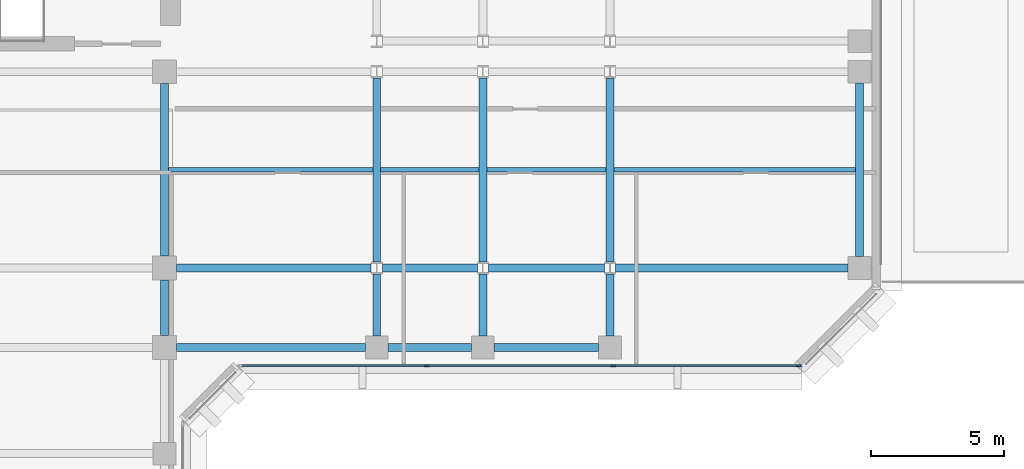
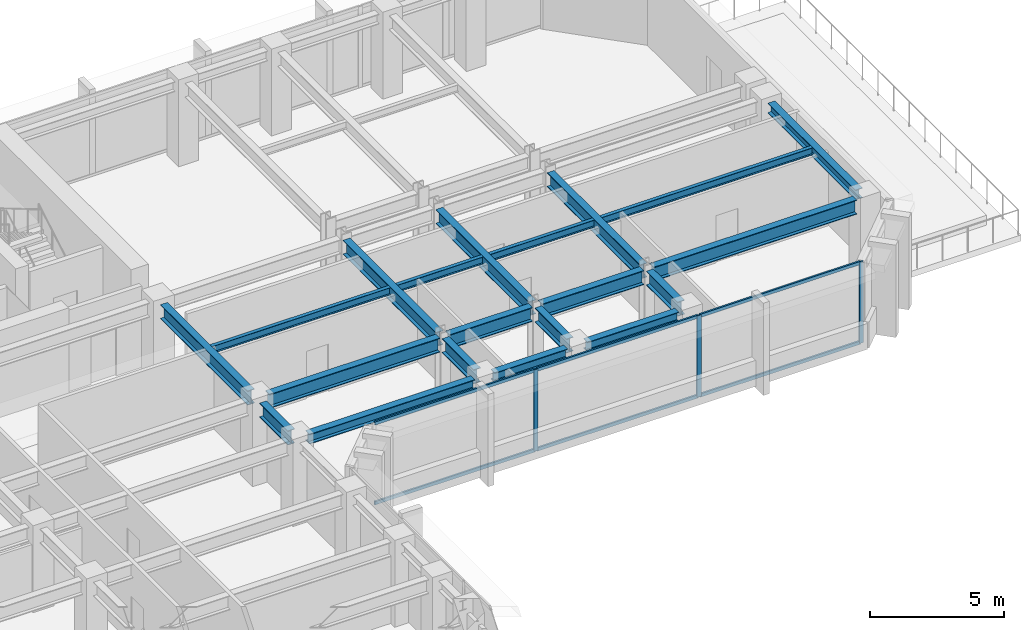
# One storey, part 3 of 12: 20 beams, 9 members, 1 element without a shape of its own.
"""IFC4 building model written with IfcOpenShell, lengths in metres."""

import ifcopenshell
import ifcopenshell.guid

model = None  # the IFC model being written
_history = None  # IfcOwnerHistory: only IFC2X3 demands one
_inside = {}  # id of a spatial element -> (the spatial element, [elements in it])
_under = {}  # id of a project, library or spatial element -> (it, [spatial elements below it])
_declared = {}  # id of a project -> (the project, [libraries it declares])
_typed = {}  # id of a type object -> (the type object, [elements of that type])
_made_of = {}  # id of a material, layer set ... -> (it, [elements and type objects made of it])


def new_model(schema):
    """Start an empty IFC model of exactly this schema.

    Asked for "IFC4X3", IfcOpenShell would pick the latest addendum, in which some entities
    have other attributes; the version numbers below select the first issue.
    IFC2X3 requires an IfcOwnerHistory on every rooted entity: one is made here for all.
    """
    global model, _history
    if schema == "IFC4X3":
        model = ifcopenshell.file(schema_version=(4, 3, 0, 0))
    else:
        model = ifcopenshell.file(schema=schema)
    _inside.clear()
    _under.clear()
    _declared.clear()
    _typed.clear()
    _made_of.clear()
    _history = None
    if model.schema == "IFC2X3":
        org = make("IfcOrganization", Name="unknown")
        user = make(
            "IfcPersonAndOrganization",
            ThePerson=make("IfcPerson", FamilyName="unknown"),
            TheOrganization=org,
        )
        app = make(
            "IfcApplication",
            ApplicationDeveloper=org,
            Version="unknown",
            ApplicationFullName="unknown",
            ApplicationIdentifier="unknown",
        )
        _history = make(
            "IfcOwnerHistory",
            OwningUser=user,
            OwningApplication=app,
            ChangeAction="ADDED",
            CreationDate=0,
        )
    return model


def make(cls, **values):
    """One entity of the class cls with the attributes given. An attribute that is None is left unset."""
    return model.create_entity(
        cls, **{name: value for name, value in values.items() if value is not None}
    )


def rooted(cls, **values):
    """An entity with a GlobalId (a new one), such as an element, a storey or a relation."""
    return make(cls, GlobalId=ifcopenshell.guid.new(), OwnerHistory=_history, **values)


def si_unit(unit_type, name, prefix=None):
    """IfcSIUnit, for example si_unit("LENGTHUNIT", "METRE", prefix="MILLI")."""
    return make("IfcSIUnit", UnitType=unit_type, Prefix=prefix, Name=name)


def assignment(units):
    """IfcUnitAssignment: the units of a project."""
    return None if units is None else make("IfcUnitAssignment", Units=units)


def point(xyz):
    """IfcCartesianPoint."""
    return None if xyz is None else make("IfcCartesianPoint", Coordinates=xyz)


def direction(xyz):
    """IfcDirection."""
    return None if xyz is None else make("IfcDirection", DirectionRatios=xyz)


def frame(location, z_axis=None, x_axis=None):
    """IfcAxis2Placement3D, a coordinate frame: its origin and axes. An axis left out is left unset."""
    return make(
        "IfcAxis2Placement3D",
        Location=point(location),
        Axis=direction(z_axis),
        RefDirection=direction(x_axis),
    )


def frame_2d(location, x_axis=None):
    """IfcAxis2Placement2D, a coordinate frame in the plane: its origin and x axis."""
    return make(
        "IfcAxis2Placement2D", Location=point(location), RefDirection=direction(x_axis)
    )


def origin():
    """The frame at (0, 0, 0) with its axes left unset."""
    return frame((0.0, 0.0, 0.0))


def origin_2d():
    """The frame at (0, 0) in the plane with its x axis left unset."""
    return frame_2d((0.0, 0.0))


def place(relative_to, where):
    """IfcLocalPlacement: puts the frame where relative to a parent placement (None: the world)."""
    return make(
        "IfcLocalPlacement", PlacementRelTo=relative_to, RelativePlacement=where
    )


def context(
    kind, dimensions, precision=None, world=None, true_north=None, identifier=None
):
    """IfcGeometricRepresentationContext, for example the 3D "Model" context."""
    return make(
        "IfcGeometricRepresentationContext",
        ContextIdentifier=identifier,
        ContextType=kind,
        CoordinateSpaceDimension=dimensions,
        Precision=precision,
        WorldCoordinateSystem=world,
        TrueNorth=true_north,
    )


def subcontext(parent, identifier, kind, view, scale=None):
    """IfcGeometricRepresentationSubContext, for example "Body" below "Model"."""
    return make(
        "IfcGeometricRepresentationSubContext",
        ContextIdentifier=identifier,
        ContextType=kind,
        ParentContext=parent,
        TargetScale=scale,
        TargetView=view,
    )


def project(units=None, contexts=None):
    """IfcProject with its units and contexts."""
    return rooted(
        "IfcProject",
        Name="project",
        RepresentationContexts=contexts,
        UnitsInContext=assignment(units),
    )


def spatial(cls, under=None, at=None, **own):
    """A site, building, storey or space (cls), placed at a placement, below another one or the project."""
    s = rooted(cls, ObjectPlacement=at, **own)
    if under is not None:
        _under.setdefault(under.id(), (under, []))[1].append(s)
    return s


def profile(cls, at=None, kind="AREA", **sizes):
    """A parametric profile (cls). Its sizes go by their IFC names, for example OverallWidth=200.0."""
    return make(cls, ProfileType=kind, Position=at, **sizes)


def rectangle(**sizes):
    """IfcRectangleProfileDef."""
    return profile("IfcRectangleProfileDef", **sizes)


def i_section(**sizes):
    """IfcIShapeProfileDef."""
    return profile("IfcIShapeProfileDef", **sizes)


def extrude(swept, where, along, depth):
    """IfcExtrudedAreaSolid: the profile swept, set in the frame where, extruded along a direction by depth."""
    return make(
        "IfcExtrudedAreaSolid",
        SweptArea=swept,
        Position=where,
        ExtrudedDirection=direction(along),
        Depth=depth,
    )


def shape(context_of_items, identifier, shape_type, items):
    """IfcShapeRepresentation: the items that make up one representation, for example the "Body"."""
    return make(
        "IfcShapeRepresentation",
        ContextOfItems=context_of_items,
        RepresentationIdentifier=identifier,
        RepresentationType=shape_type,
        Items=items,
    )


def material(Name=None, Category=None):
    """IfcMaterial."""
    return make("IfcMaterial", Name=Name, Category=Category)


def layer(
    of_material, thickness, ventilated=None, Name=None, Category=None, Priority=None
):
    """IfcMaterialLayer: one layer of a wall or slab, of a material (None: an air gap)."""
    return make(
        "IfcMaterialLayer",
        Material=of_material,
        LayerThickness=thickness,
        IsVentilated=ventilated,
        Name=Name,
        Category=Category,
        Priority=Priority,
    )


def layer_set(layers, Name=None):
    """IfcMaterialLayerSet."""
    return make("IfcMaterialLayerSet", MaterialLayers=layers, LayerSetName=Name)


def material_profile(
    of_material, cross_section, Name=None, Category=None, Priority=None
):
    """IfcMaterialProfile: a cross section and its material."""
    return make(
        "IfcMaterialProfile",
        Name=Name,
        Material=of_material,
        Profile=cross_section,
        Priority=Priority,
        Category=Category,
    )


def profile_set(profiles, Name=None, composite=None):
    """IfcMaterialProfileSet."""
    return make(
        "IfcMaterialProfileSet",
        Name=Name,
        MaterialProfiles=profiles,
        CompositeProfile=composite,
    )


def made_of(thing, what):
    """Note that an element or type object is made of a material, layer set ...; save() writes the relation."""
    if what is not None:
        _made_of.setdefault(what.id(), (what, []))[1].append(thing)
    return thing


def type_object(cls, material=None, **own):
    """A type object (cls), such as IfcWallType, which elements share."""
    return made_of(rooted(cls, **own), material)


def element(
    cls,
    number,
    at=None,
    inside=None,
    cuts=None,
    type_object=None,
    material=None,
    context=None,
    identifier="Body",
    shape_type=None,
    held_by="IfcProductDefinitionShape",
    body=None,
    shapes=None,
    **own,
):
    """One element of the class cls, such as IfcWall. Its Tag is "e" and its number.

    at: its placement. inside: the storey or other place that contains it. cuts: it is an
    opening in that element (IfcRelVoidsElement). A single representation is given by context,
    identifier, shape_type and body (its items); several are given by shapes. held_by: the class
    of the entity that holds the representations. save() writes the other relations.
    """
    e = rooted(cls, Tag="e%d" % number, ObjectPlacement=at, **own)
    if body is not None:
        shapes = [shape(context, identifier, shape_type, body)]
    if shapes is not None:
        e.Representation = make(held_by, Representations=shapes)
    if inside is not None:
        _inside.setdefault(inside.id(), (inside, []))[1].append(e)
    if cuts is not None:
        rooted(
            "IfcRelVoidsElement", RelatingBuildingElement=cuts, RelatedOpeningElement=e
        )
    if type_object is not None:
        _typed.setdefault(type_object.id(), (type_object, []))[1].append(e)
    return made_of(e, material)


def aggregate(whole, parts):
    """IfcRelAggregates: a whole, such as a stair, and the parts it consists of."""
    return rooted("IfcRelAggregates", RelatingObject=whole, RelatedObjects=parts)


def save(model, path):
    """Write the relations noted so far, then the file.

    IfcRelAggregates (storeys below a building ...), IfcRelContainedInSpatialStructure (elements
    in a storey), IfcRelDefinesByType, IfcRelAssociatesMaterial and IfcRelDeclares: one each for
    every whole, place, type object, material and project.
    """
    for whole, parts in _under.values():
        aggregate(whole, parts)
    for where, things in _inside.values():
        rooted(
            "IfcRelContainedInSpatialStructure",
            RelatedElements=things,
            RelatingStructure=where,
        )
    for kind, things in _typed.values():
        rooted("IfcRelDefinesByType", RelatedObjects=things, RelatingType=kind)
    for what, things in _made_of.values():
        rooted("IfcRelAssociatesMaterial", RelatedObjects=things, RelatingMaterial=what)
    for by, libraries in _declared.values():
        rooted("IfcRelDeclares", RelatingContext=by, RelatedDefinitions=libraries)
    model.write(path)


model = new_model("IFC4")

# Units and contexts
model_context = context("Model", 3, precision=1e-05, world=origin(), true_north=direction((0.0, 1.0)))
body_context = subcontext(model_context, "Body", "Model", "MODEL_VIEW")
ifc_project = project(units=[si_unit("LENGTHUNIT", "METRE"), si_unit("AREAUNIT", "SQUARE_METRE"), si_unit("VOLUMEUNIT", "CUBIC_METRE"), si_unit("PLANEANGLEUNIT", "RADIAN"), si_unit("MASSUNIT", "GRAM", prefix="KILO")], contexts=[model_context])

# Site, building, storey
site_placement = place(None, origin())
site = spatial("IfcSite", under=ifc_project, at=site_placement, CompositionType="ELEMENT")
building_placement = place(site_placement, origin())
building = spatial("IfcBuilding", under=site, at=building_placement, Name="Kefirva Bronze Tower", CompositionType="ELEMENT")
storey_placement = place(building_placement, frame((0.0, 0.0, 110.550048828125)))
storey = spatial("IfcBuildingStorey", under=building, at=storey_placement, Name="L26", CompositionType="ELEMENT", Elevation=110.550048828125)

# Curtain wall, members
ifc_material_1 = material(Name="Bronze anodised aluminium", Category="aluminium")
ifc_layer = layer(ifc_material_1, 0.199951171875, Name="Bronze anodised aluminium")
ifc_layer_set = layer_set([ifc_layer], Name="Bronze anodised aluminium")
curtain_wall_type = type_object("IfcCurtainWallType", Name="Unitised Bronze Ribbon Curtain Wall Zone 2", PredefinedType="USERDEFINED", material=ifc_layer_set)
curtain_wall_placement = place(storey_placement, origin())
curtain_wall = element("IfcCurtainWall", 1, at=curtain_wall_placement, inside=storey, type_object=curtain_wall_type, Name="L26 Curtain Wall 3", ObjectType="UNITISED CURTAIN WALL", PredefinedType="USERDEFINED")
ifc_material_profile_1 = material_profile(ifc_material_1, rectangle(XDim=0.074951171875, YDim=0.179931640625, at=origin_2d()), Name="ALU 75x180")
ifc_profile_set_1 = profile_set([ifc_material_profile_1], Name="Bronze anodised aluminium")
member_type_1 = type_object("IfcMemberType", Name="Bronze Mullion 75x180", PredefinedType="MULLION", material=ifc_profile_set_1)
member_1_placement = place(storey_placement, frame((33.0849609375, 22.1201171875, 0.0), z_axis=(0.0, 0.0, 1.0), x_axis=(0.0, 1.0, 0.0)))
member_1 = element("IfcMember", 2, at=member_1_placement, type_object=member_type_1, Name="CW-02 mullion 2", PredefinedType="MULLION", context=body_context, shape_type="SweptSolid", body=[
    extrude(rectangle(XDim=0.074951171875, YDim=0.179931640625, at=origin_2d()), origin(), (0.0, 0.0, 1.0), 3.7099609375),
])
member_2_placement = place(storey_placement, frame((40.114990234375, 22.1201171875, 0.0), z_axis=(0.0, 0.0, 1.0), x_axis=(0.0, 1.0, 0.0)))
member_2 = element("IfcMember", 3, at=member_2_placement, type_object=member_type_1, Name="CW-02 mullion 3", PredefinedType="MULLION", context=body_context, shape_type="SweptSolid", body=[
    extrude(rectangle(XDim=0.074951171875, YDim=0.179931640625, at=origin_2d()), origin(), (0.0, 0.0, 1.0), 3.7099609375),
])
member_3_placement = place(storey_placement, frame((47.107421875, 22.1201171875, 0.0), z_axis=(0.0, 0.0, 1.0), x_axis=(0.0, 1.0, 0.0)))
member_3 = element("IfcMember", 4, at=member_3_placement, type_object=member_type_1, Name="CW-02 mullion 4", PredefinedType="MULLION", context=body_context, shape_type="SweptSolid", body=[
    extrude(rectangle(XDim=0.074951171875, YDim=0.179931640625, at=origin_2d()), origin(), (0.0, 0.0, 1.0), 3.7099609375),
])
ifc_material_profile_2 = material_profile(ifc_material_1, rectangle(XDim=0.074951171875, YDim=0.14990234375, at=origin_2d()), Name="ALU 75x150")
ifc_profile_set_2 = profile_set([ifc_material_profile_2], Name="Bronze anodised aluminium")
member_type_2 = type_object("IfcMemberType", Name="Bronze Transom 75x150", PredefinedType="USERDEFINED", material=ifc_profile_set_2)
member_4_placement = place(storey_placement, frame((26.1298828125, 22.1201171875, 0.037353515625), z_axis=(1.0, 0.0, 0.0), x_axis=(0.0, 1.0, 0.0)))
member_4 = element("IfcMember", 5, at=member_4_placement, type_object=member_type_2, Name="CW-02 transom 1.1", ObjectType="TRANSOM", PredefinedType="USERDEFINED", context=body_context, shape_type="SweptSolid", body=[
    extrude(rectangle(XDim=0.074951171875, YDim=0.14990234375, at=origin_2d()), origin(), (0.0, 0.0, 1.0), 6.917724609375),
])
member_5_placement = place(storey_placement, frame((26.1298828125, 22.1201171875, 3.67236328125), z_axis=(1.0, 0.0, 0.0), x_axis=(0.0, 1.0, 0.0)))
member_5 = element("IfcMember", 6, at=member_5_placement, type_object=member_type_2, Name="CW-02 transom 1.2", ObjectType="TRANSOM", PredefinedType="USERDEFINED", context=body_context, shape_type="SweptSolid", body=[
    extrude(rectangle(XDim=0.074951171875, YDim=0.14990234375, at=origin_2d()), origin(), (0.0, 0.0, 1.0), 6.917724609375),
])
member_6_placement = place(storey_placement, frame((33.12255859375, 22.1201171875, 0.037353515625), z_axis=(1.0, 0.0, 0.0), x_axis=(0.0, 1.0, 0.0)))
member_6 = element("IfcMember", 7, at=member_6_placement, type_object=member_type_2, Name="CW-02 transom 2.1", ObjectType="TRANSOM", PredefinedType="USERDEFINED", context=body_context, shape_type="SweptSolid", body=[
    extrude(rectangle(XDim=0.074951171875, YDim=0.14990234375, at=origin_2d()), origin(), (0.0, 0.0, 1.0), 6.954833984375),
])
member_7_placement = place(storey_placement, frame((33.12255859375, 22.1201171875, 3.67236328125), z_axis=(1.0, 0.0, 0.0), x_axis=(0.0, 1.0, 0.0)))
member_7 = element("IfcMember", 8, at=member_7_placement, type_object=member_type_2, Name="CW-02 transom 2.2", ObjectType="TRANSOM", PredefinedType="USERDEFINED", context=body_context, shape_type="SweptSolid", body=[
    extrude(rectangle(XDim=0.074951171875, YDim=0.14990234375, at=origin_2d()), origin(), (0.0, 0.0, 1.0), 6.954833984375),
])
member_8_placement = place(storey_placement, frame((40.152587890625, 22.1201171875, 0.037353515625), z_axis=(1.0, 0.0, 0.0), x_axis=(0.0, 1.0, 0.0)))
member_8 = element("IfcMember", 9, at=member_8_placement, type_object=member_type_2, Name="CW-02 transom 3.1", ObjectType="TRANSOM", PredefinedType="USERDEFINED", context=body_context, shape_type="SweptSolid", body=[
    extrude(rectangle(XDim=0.074951171875, YDim=0.14990234375, at=origin_2d()), origin(), (0.0, 0.0, 1.0), 6.91748046875),
])
member_9_placement = place(storey_placement, frame((40.152587890625, 22.1201171875, 3.67236328125), z_axis=(1.0, 0.0, 0.0), x_axis=(0.0, 1.0, 0.0)))
member_9 = element("IfcMember", 10, at=member_9_placement, type_object=member_type_2, Name="CW-02 transom 3.2", ObjectType="TRANSOM", PredefinedType="USERDEFINED", context=body_context, shape_type="SweptSolid", body=[
    extrude(rectangle(XDim=0.074951171875, YDim=0.14990234375, at=origin_2d()), origin(), (0.0, 0.0, 1.0), 6.91748046875),
])
aggregate(curtain_wall, [member_1, member_2, member_3, member_4, member_5, member_6, member_7, member_8, member_9])

# Beams
ifc_material_2 = material(Name="Steel S355", Category="steel")
ifc_material_profile_3 = material_profile(ifc_material_2, i_section(OverallWidth=0.159912109375, OverallDepth=0.330078125, WebThickness=0.007568359375, FlangeThickness=0.011474609375, at=origin_2d()), Name="IPE 330")
ifc_profile_set_3 = profile_set([ifc_material_profile_3], Name="Steel S355")
beam_type_1 = type_object("IfcBeamType", Name="Steel Floor Joist IPE 330", PredefinedType="JOIST", material=ifc_profile_set_3)
beam_1_placement = place(storey_placement, frame((23.35009765625, 29.5, 3.544921875), z_axis=(1.0, 0.0, 0.0), x_axis=(0.0, 1.0, 0.0)))
element("IfcBeam", 11, at=beam_1_placement, inside=storey, type_object=beam_type_1, Name="L26 JST-L26-23-295", PredefinedType="JOIST", context=body_context, shape_type="SweptSolid", body=[
    extrude(i_section(OverallWidth=0.159912109375, OverallDepth=0.330078125, WebThickness=0.007568359375, FlangeThickness=0.011474609375, at=origin_2d()), origin(), (0.0, 0.0, 1.0), 7.699951171875),
])
beam_2_placement = place(storey_placement, frame((31.35009765625, 29.5, 3.544921875), z_axis=(1.0, 0.0, 0.0), x_axis=(0.0, 1.0, 0.0)))
element("IfcBeam", 12, at=beam_2_placement, inside=storey, type_object=beam_type_1, Name="L26 JST-L26-31-295", PredefinedType="JOIST", context=body_context, shape_type="SweptSolid", body=[
    extrude(i_section(OverallWidth=0.159912109375, OverallDepth=0.330078125, WebThickness=0.007568359375, FlangeThickness=0.011474609375, at=origin_2d()), origin(), (0.0, 0.0, 1.0), 3.699951171875),
])
beam_3_placement = place(storey_placement, frame((35.35009765625, 29.5, 3.544921875), z_axis=(1.0, 0.0, 0.0), x_axis=(0.0, 1.0, 0.0)))
element("IfcBeam", 13, at=beam_3_placement, inside=storey, type_object=beam_type_1, Name="L26 JST-L26-35-295", PredefinedType="JOIST", context=body_context, shape_type="SweptSolid", body=[
    extrude(i_section(OverallWidth=0.159912109375, OverallDepth=0.330078125, WebThickness=0.007568359375, FlangeThickness=0.011474609375, at=origin_2d()), origin(), (0.0, 0.0, 1.0), 4.5),
])
beam_4_placement = place(storey_placement, frame((40.14990234375, 29.5, 3.544921875), z_axis=(1.0, 0.0, 0.0), x_axis=(0.0, 1.0, 0.0)))
element("IfcBeam", 14, at=beam_4_placement, inside=storey, type_object=beam_type_1, Name="L26 JST-L26-40-295", PredefinedType="JOIST", context=body_context, shape_type="SweptSolid", body=[
    extrude(i_section(OverallWidth=0.159912109375, OverallDepth=0.330078125, WebThickness=0.007568359375, FlangeThickness=0.011474609375, at=origin_2d()), origin(), (0.0, 0.0, 1.0), 9.10009765625),
])
ifc_material_profile_4 = material_profile(ifc_material_2, i_section(OverallWidth=0.300048828125, OverallDepth=0.64990234375, WebThickness=0.01611328125, FlangeThickness=0.031005859375, at=origin_2d()), Name="HEB 650")
ifc_profile_set_4 = profile_set([ifc_material_profile_4], Name="Steel S355")
beam_type_2 = type_object("IfcBeamType", Name="Steel Girder HEB 650", PredefinedType="USERDEFINED", material=ifc_profile_set_4)
beam_5_placement = place(storey_placement, frame((23.64990234375, 25.800048828125, 3.385009765625), z_axis=(1.0, 0.0, 0.0), x_axis=(0.0, 1.0, 0.0)))
element("IfcBeam", 15, at=beam_5_placement, inside=storey, type_object=beam_type_2, Name="L26 BM-L26-EW-23-258", ObjectType="GIRDER", PredefinedType="USERDEFINED", context=body_context, shape_type="SweptSolid", body=[
    extrude(i_section(OverallWidth=0.300048828125, OverallDepth=0.64990234375, WebThickness=0.01611328125, FlangeThickness=0.031005859375, at=origin_2d()), origin(), (0.0, 0.0, 1.0), 7.341064453125),
])
beam_6_placement = place(storey_placement, frame((31.408935546875, 25.800048828125, 3.385009765625), z_axis=(1.0, 0.0, 0.0), x_axis=(0.0, 1.0, 0.0)))
element("IfcBeam", 16, at=beam_6_placement, inside=storey, type_object=beam_type_2, Name="L26 BM-L26-EW-31-258", ObjectType="GIRDER", PredefinedType="USERDEFINED", context=body_context, shape_type="SweptSolid", body=[
    extrude(i_section(OverallWidth=0.300048828125, OverallDepth=0.64990234375, WebThickness=0.01611328125, FlangeThickness=0.031005859375, at=origin_2d()), origin(), (0.0, 0.0, 1.0), 3.58203125),
])
beam_7_placement = place(storey_placement, frame((35.408935546875, 25.800048828125, 3.385009765625), z_axis=(1.0, 0.0, 0.0), x_axis=(0.0, 1.0, 0.0)))
element("IfcBeam", 17, at=beam_7_placement, inside=storey, type_object=beam_type_2, Name="L26 BM-L26-EW-35-258", ObjectType="GIRDER", PredefinedType="USERDEFINED", context=body_context, shape_type="SweptSolid", body=[
    extrude(i_section(OverallWidth=0.300048828125, OverallDepth=0.64990234375, WebThickness=0.01611328125, FlangeThickness=0.031005859375, at=origin_2d()), origin(), (0.0, 0.0, 1.0), 4.382080078125),
])
beam_8_placement = place(storey_placement, frame((40.208984375, 25.800048828125, 3.385009765625), z_axis=(1.0, 0.0, 0.0), x_axis=(0.0, 1.0, 0.0)))
element("IfcBeam", 18, at=beam_8_placement, inside=storey, type_object=beam_type_2, Name="L26 BM-L26-EW-40-258", ObjectType="GIRDER", PredefinedType="USERDEFINED", context=body_context, shape_type="SweptSolid", body=[
    extrude(i_section(OverallWidth=0.300048828125, OverallDepth=0.64990234375, WebThickness=0.01611328125, FlangeThickness=0.031005859375, at=origin_2d()), origin(), (0.0, 0.0, 1.0), 8.760986328125),
])
beam_9_placement = place(storey_placement, frame((23.199951171875, 23.25, 3.385009765625), z_axis=(0.0, 1.0, 0.0), x_axis=(-1.0, 0.0, 0.0)))
element("IfcBeam", 19, at=beam_9_placement, inside=storey, type_object=beam_type_2, Name="L26 BM-L26-NS-232-22", ObjectType="GIRDER", PredefinedType="USERDEFINED", context=body_context, shape_type="SweptSolid", body=[
    extrude(i_section(OverallWidth=0.300048828125, OverallDepth=0.64990234375, WebThickness=0.01611328125, FlangeThickness=0.031005859375, at=origin_2d()), origin(), (0.0, 0.0, 1.0), 2.10009765625),
])
beam_10_placement = place(storey_placement, frame((23.199951171875, 26.25, 3.385009765625), z_axis=(0.0, 1.0, 0.0), x_axis=(-1.0, 0.0, 0.0)))
element("IfcBeam", 20, at=beam_10_placement, inside=storey, type_object=beam_type_2, Name="L26 BM-L26-NS-232-25", ObjectType="GIRDER", PredefinedType="USERDEFINED", context=body_context, shape_type="SweptSolid", body=[
    extrude(i_section(OverallWidth=0.300048828125, OverallDepth=0.64990234375, WebThickness=0.01611328125, FlangeThickness=0.031005859375, at=origin_2d()), origin(), (0.0, 0.0, 1.0), 6.5),
])
beam_11_placement = place(storey_placement, frame((31.199951171875, 23.22998046875, 3.385009765625), z_axis=(0.0, 1.0, 0.0), x_axis=(-1.0, 0.0, 0.0)))
element("IfcBeam", 21, at=beam_11_placement, inside=storey, type_object=beam_type_2, Name="L26 BM-L26-NS-312-22", ObjectType="GIRDER", PredefinedType="USERDEFINED", context=body_context, shape_type="SweptSolid", body=[
    extrude(i_section(OverallWidth=0.300048828125, OverallDepth=0.64990234375, WebThickness=0.01611328125, FlangeThickness=0.031005859375, at=origin_2d()), origin(), (0.0, 0.0, 1.0), 2.342529296875),
])
beam_12_placement = place(storey_placement, frame((31.199951171875, 26.027587890625, 3.385009765625), z_axis=(0.0, 1.0, 0.0), x_axis=(-1.0, 0.0, 0.0)))
element("IfcBeam", 22, at=beam_12_placement, inside=storey, type_object=beam_type_2, Name="L26 BM-L26-NS-312-25", ObjectType="GIRDER", PredefinedType="USERDEFINED", context=body_context, shape_type="SweptSolid", body=[
    extrude(i_section(OverallWidth=0.300048828125, OverallDepth=0.64990234375, WebThickness=0.01611328125, FlangeThickness=0.031005859375, at=origin_2d()), origin(), (0.0, 0.0, 1.0), 6.94482421875),
])
beam_13_placement = place(storey_placement, frame((35.199951171875, 23.22998046875, 3.385009765625), z_axis=(0.0, 1.0, 0.0), x_axis=(-1.0, 0.0, 0.0)))
element("IfcBeam", 23, at=beam_13_placement, inside=storey, type_object=beam_type_2, Name="L26 BM-L26-NS-352-22", ObjectType="GIRDER", PredefinedType="USERDEFINED", context=body_context, shape_type="SweptSolid", body=[
    extrude(i_section(OverallWidth=0.300048828125, OverallDepth=0.64990234375, WebThickness=0.01611328125, FlangeThickness=0.031005859375, at=origin_2d()), origin(), (0.0, 0.0, 1.0), 2.342529296875),
])
beam_14_placement = place(storey_placement, frame((35.199951171875, 26.027587890625, 3.385009765625), z_axis=(0.0, 1.0, 0.0), x_axis=(-1.0, 0.0, 0.0)))
element("IfcBeam", 24, at=beam_14_placement, inside=storey, type_object=beam_type_2, Name="L26 BM-L26-NS-352-25", ObjectType="GIRDER", PredefinedType="USERDEFINED", context=body_context, shape_type="SweptSolid", body=[
    extrude(i_section(OverallWidth=0.300048828125, OverallDepth=0.64990234375, WebThickness=0.01611328125, FlangeThickness=0.031005859375, at=origin_2d()), origin(), (0.0, 0.0, 1.0), 6.94482421875),
])
beam_15_placement = place(storey_placement, frame((40.0, 23.22998046875, 3.385009765625), z_axis=(0.0, 1.0, 0.0), x_axis=(-1.0, 0.0, 0.0)))
element("IfcBeam", 25, at=beam_15_placement, inside=storey, type_object=beam_type_2, Name="L26 BM-L26-NS-400-22", ObjectType="GIRDER", PredefinedType="USERDEFINED", context=body_context, shape_type="SweptSolid", body=[
    extrude(i_section(OverallWidth=0.300048828125, OverallDepth=0.64990234375, WebThickness=0.01611328125, FlangeThickness=0.031005859375, at=origin_2d()), origin(), (0.0, 0.0, 1.0), 2.342529296875),
])
beam_16_placement = place(storey_placement, frame((40.0, 26.027587890625, 3.385009765625), z_axis=(0.0, 1.0, 0.0), x_axis=(-1.0, 0.0, 0.0)))
element("IfcBeam", 26, at=beam_16_placement, inside=storey, type_object=beam_type_2, Name="L26 BM-L26-NS-400-25", ObjectType="GIRDER", PredefinedType="USERDEFINED", context=body_context, shape_type="SweptSolid", body=[
    extrude(i_section(OverallWidth=0.300048828125, OverallDepth=0.64990234375, WebThickness=0.01611328125, FlangeThickness=0.031005859375, at=origin_2d()), origin(), (0.0, 0.0, 1.0), 6.94482421875),
])
ifc_material_profile_5 = material_profile(ifc_material_2, i_section(OverallWidth=0.300048828125, OverallDepth=0.449951171875, WebThickness=0.013916015625, FlangeThickness=0.02587890625, at=origin_2d()), Name="HEB 450")
ifc_profile_set_5 = profile_set([ifc_material_profile_5], Name="Steel S355")
beam_type_3 = type_object("IfcBeamType", Name="Steel Spandrel HEB 450 Ext", PredefinedType="SPANDREL", material=ifc_profile_set_5)
beam_17_placement = place(storey_placement, frame((23.64990234375, 22.800048828125, 3.48486328125), z_axis=(1.0, 0.0, 0.0), x_axis=(0.0, 1.0, 0.0)))
element("IfcBeam", 27, at=beam_17_placement, inside=storey, type_object=beam_type_3, Name="L26 BM-L26-EW-23-228", PredefinedType="SPANDREL", context=body_context, shape_type="SweptSolid", body=[
    extrude(i_section(OverallWidth=0.300048828125, OverallDepth=0.449951171875, WebThickness=0.013916015625, FlangeThickness=0.02587890625, at=origin_2d()), origin(), (0.0, 0.0, 1.0), 7.1201171875),
])
beam_18_placement = place(storey_placement, frame((31.6298828125, 22.800048828125, 3.48486328125), z_axis=(1.0, 0.0, 0.0), x_axis=(0.0, 1.0, 0.0)))
element("IfcBeam", 28, at=beam_18_placement, inside=storey, type_object=beam_type_3, Name="L26 BM-L26-EW-31-228", PredefinedType="SPANDREL", context=body_context, shape_type="SweptSolid", body=[
    extrude(i_section(OverallWidth=0.300048828125, OverallDepth=0.449951171875, WebThickness=0.013916015625, FlangeThickness=0.02587890625, at=origin_2d()), origin(), (0.0, 0.0, 1.0), 3.14013671875),
])
beam_19_placement = place(storey_placement, frame((35.6298828125, 22.800048828125, 3.48486328125), z_axis=(1.0, 0.0, 0.0), x_axis=(0.0, 1.0, 0.0)))
element("IfcBeam", 29, at=beam_19_placement, inside=storey, type_object=beam_type_3, Name="L26 BM-L26-EW-35-228", PredefinedType="SPANDREL", context=body_context, shape_type="SweptSolid", body=[
    extrude(i_section(OverallWidth=0.300048828125, OverallDepth=0.449951171875, WebThickness=0.013916015625, FlangeThickness=0.02587890625, at=origin_2d()), origin(), (0.0, 0.0, 1.0), 3.940185546875),
])
beam_20_placement = place(storey_placement, frame((49.39990234375, 26.22998046875, 3.48486328125), z_axis=(0.0, 1.0, 0.0), x_axis=(-1.0, 0.0, 0.0)))
element("IfcBeam", 30, at=beam_20_placement, inside=storey, type_object=beam_type_3, Name="L26 BM-L26-NS-494-25", PredefinedType="SPANDREL", context=body_context, shape_type="SweptSolid", body=[
    extrude(i_section(OverallWidth=0.300048828125, OverallDepth=0.449951171875, WebThickness=0.013916015625, FlangeThickness=0.02587890625, at=origin_2d()), origin(), (0.0, 0.0, 1.0), 6.5400390625),
])

save(model, "model.ifc")
